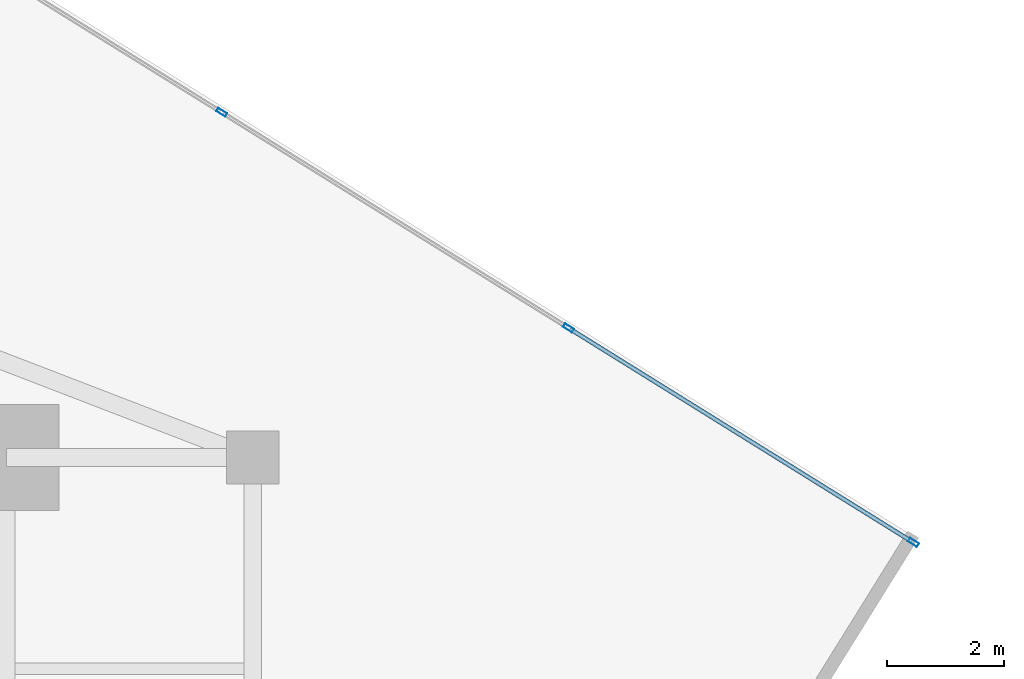
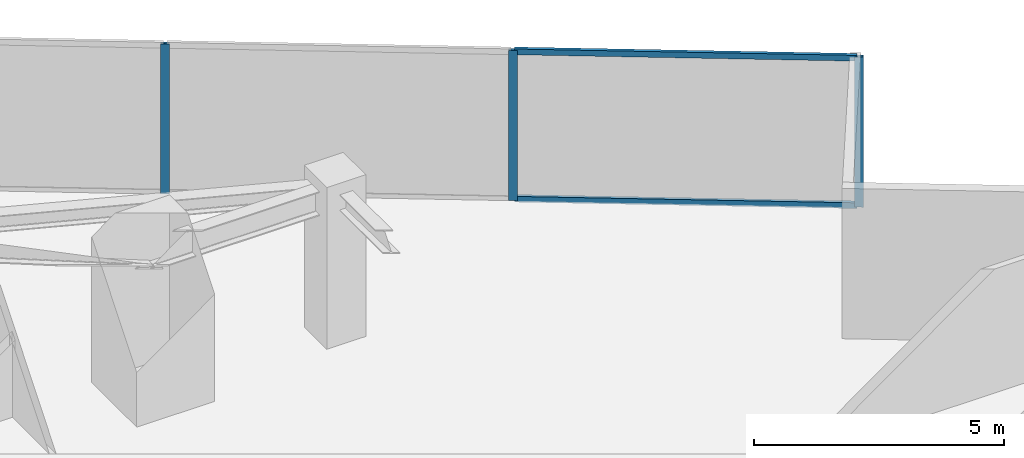
# One storey, part 18 of 25: 5 members, 1 element without a shape of its own.
"""IFC4 building model written with IfcOpenShell, lengths in metres."""

from ifc_helpers import new_model, si_unit, direction, frame, origin, origin_2d, place, context, subcontext, project, spatial, hollow_rectangle, extrude, source, transform, mapped, material, material_profile, profile_set, type_object, type_shapes, element, aggregate, save


model = new_model("IFC4")

# Units and contexts
model_context = context("Model", 3, precision=1e-05, world=origin(), true_north=direction((0.0, 1.0)))
body_context = subcontext(model_context, "Body", "Model", "MODEL_VIEW")
ifc_project = project(units=[si_unit("LENGTHUNIT", "METRE"), si_unit("AREAUNIT", "SQUARE_METRE"), si_unit("VOLUMEUNIT", "CUBIC_METRE"), si_unit("PLANEANGLEUNIT", "RADIAN"), si_unit("MASSUNIT", "GRAM", prefix="KILO")], contexts=[model_context])

# Site, building, storey
site_placement = place(None, origin())
site = spatial("IfcSite", under=ifc_project, at=site_placement, CompositionType="ELEMENT")
building_placement = place(site_placement, origin())
building = spatial("IfcBuilding", under=site, at=building_placement, Name="Krantzveldt Concourse Tower", CompositionType="ELEMENT")
storey_placement = place(building_placement, frame((0.0, 0.0, 181.75)))
storey = spatial("IfcBuildingStorey", under=building, at=storey_placement, Name="L44", CompositionType="ELEMENT", Elevation=181.75)

# Curtain wall, members
ifc_material = material(Name="Anodised aluminium 6063-T6", Category="aluminium")
curtain_wall_type = type_object("IfcCurtainWallType", Name="CW3", PredefinedType="USERDEFINED", material=ifc_material)
curtain_wall_placement = place(storey_placement, origin())
curtain_wall = element("IfcCurtainWall", 1, at=curtain_wall_placement, inside=storey, type_object=curtain_wall_type, Name="CW-L44-F10", ObjectType="UNITISED CURTAIN WALL", PredefinedType="USERDEFINED")
ifc_material_profile_1 = material_profile(ifc_material, hollow_rectangle(XDim=0.070068359375, YDim=0.179931640625, WallThickness=0.0048828125, at=origin_2d()), Name="Anodised aluminium 6063-T6", Category="aluminium")
ifc_profile_set_1 = profile_set([ifc_material_profile_1], Name="Anodised aluminium 6063-T6 - ALU-MULL 180x70x5")
member_type_1 = type_object("IfcMemberType", Name="CW-MUL-180", PredefinedType="MULLION", material=ifc_profile_set_1)
shared_shape_1 = source(origin(), body_context, "Body", "SweptSolid", [
    extrude(hollow_rectangle(XDim=0.070068359375, YDim=0.179931640625, WallThickness=0.0048828125, at=origin_2d()), origin(), (0.0, 0.0, 1.0), 3.669921875),
])
type_shapes(member_type_1, [shared_shape_1])
member_1_placement = place(storey_placement, frame((62.263427734375, 36.05126953125, 0.0), z_axis=(0.0, 0.0, 1.0), x_axis=(-0.528067901977, -0.84920214961, 0.0)))
member_1 = element("IfcMember", 2, at=member_1_placement, type_object=member_type_1, Name="CW-Z34 mullion 1", PredefinedType="MULLION", context=body_context, shape_type="MappedRepresentation", body=[
    mapped(shared_shape_1, transform((0.0, 0.0, 0.0), x_axis=(1.0, 0.0, 0.0), y_axis=(0.0, 1.0, 0.0), z_axis=(0.0, 0.0, 1.0), scale=1.0)),
])
member_2_placement = place(storey_placement, frame((56.3828125, 39.7080078125, 0.0), z_axis=(0.0, 0.0, 1.0), x_axis=(-0.528067901977, -0.84920214961, 0.0)))
member_2 = element("IfcMember", 3, at=member_2_placement, type_object=member_type_1, Name="CW-Z34 mullion 2", PredefinedType="MULLION", context=body_context, shape_type="MappedRepresentation", body=[
    mapped(shared_shape_1, transform((0.0, 0.0, 0.0), x_axis=(1.0, 0.0, 0.0), y_axis=(0.0, 1.0, 0.0), z_axis=(0.0, 0.0, 1.0), scale=1.0)),
])
member_3_placement = place(storey_placement, frame((50.472412109375, 43.383544921875, 0.0), z_axis=(0.0, 0.0, 1.0), x_axis=(-0.528067901977, -0.84920214961, 0.0)))
member_3 = element("IfcMember", 4, at=member_3_placement, type_object=member_type_1, Name="CW-Z34 mullion 3", PredefinedType="MULLION", context=body_context, shape_type="MappedRepresentation", body=[
    mapped(shared_shape_1, transform((0.0, 0.0, 0.0), x_axis=(1.0, 0.0, 0.0), y_axis=(0.0, 1.0, 0.0), z_axis=(0.0, 0.0, 1.0), scale=1.0)),
])
ifc_material_profile_2 = material_profile(ifc_material, hollow_rectangle(XDim=0.070068359375, YDim=0.139892578125, WallThickness=0.0048828125, at=origin_2d()), Name="Anodised aluminium 6063-T6", Category="aluminium")
ifc_profile_set_2 = profile_set([ifc_material_profile_2], Name="Anodised aluminium 6063-T6 - ALU-TRAN 140x70x5")
member_type_2 = type_object("IfcMemberType", Name="CW-TRN-150", PredefinedType="USERDEFINED", material=ifc_profile_set_2)
shared_shape_2 = source(origin(), body_context, "Body", "SweptSolid", [
    extrude(hollow_rectangle(XDim=0.070068359375, YDim=0.139892578125, WallThickness=0.0048828125, at=origin_2d()), origin(), (0.0, 0.0, 1.0), 6.855224609375),
])
type_shapes(member_type_2, [shared_shape_2])
member_4_placement = place(storey_placement, frame((62.23388671875, 36.069580078125, 0.034912109375), z_axis=(-0.849188638159, 0.528089629534, 0.0), x_axis=(-0.528089629534, -0.849188638159, 0.0)))
member_4 = element("IfcMember", 5, at=member_4_placement, type_object=member_type_2, Name="CW-Z34 transom 1.1", ObjectType="TRANSOM", PredefinedType="USERDEFINED", context=body_context, shape_type="MappedRepresentation", body=[
    mapped(shared_shape_2, transform((0.0, 0.0, 0.0), x_axis=(1.0, 0.0, 0.0), y_axis=(0.0, 1.0, 0.0), z_axis=(0.0, 0.0, 1.0), scale=1.0)),
])
member_5_placement = place(storey_placement, frame((62.23388671875, 36.069580078125, 3.635009765625), z_axis=(-0.849188638159, 0.528089629534, 0.0), x_axis=(-0.528089629534, -0.849188638159, 0.0)))
member_5 = element("IfcMember", 6, at=member_5_placement, type_object=member_type_2, Name="CW-Z34 transom 1.2", ObjectType="TRANSOM", PredefinedType="USERDEFINED", context=body_context, shape_type="MappedRepresentation", body=[
    mapped(shared_shape_2, transform((0.0, 0.0, 0.0), x_axis=(1.0, 0.0, 0.0), y_axis=(0.0, 1.0, 0.0), z_axis=(0.0, 0.0, 1.0), scale=1.0)),
])
aggregate(curtain_wall, [member_1, member_2, member_3, member_4, member_5])

save(model, "model.ifc")
